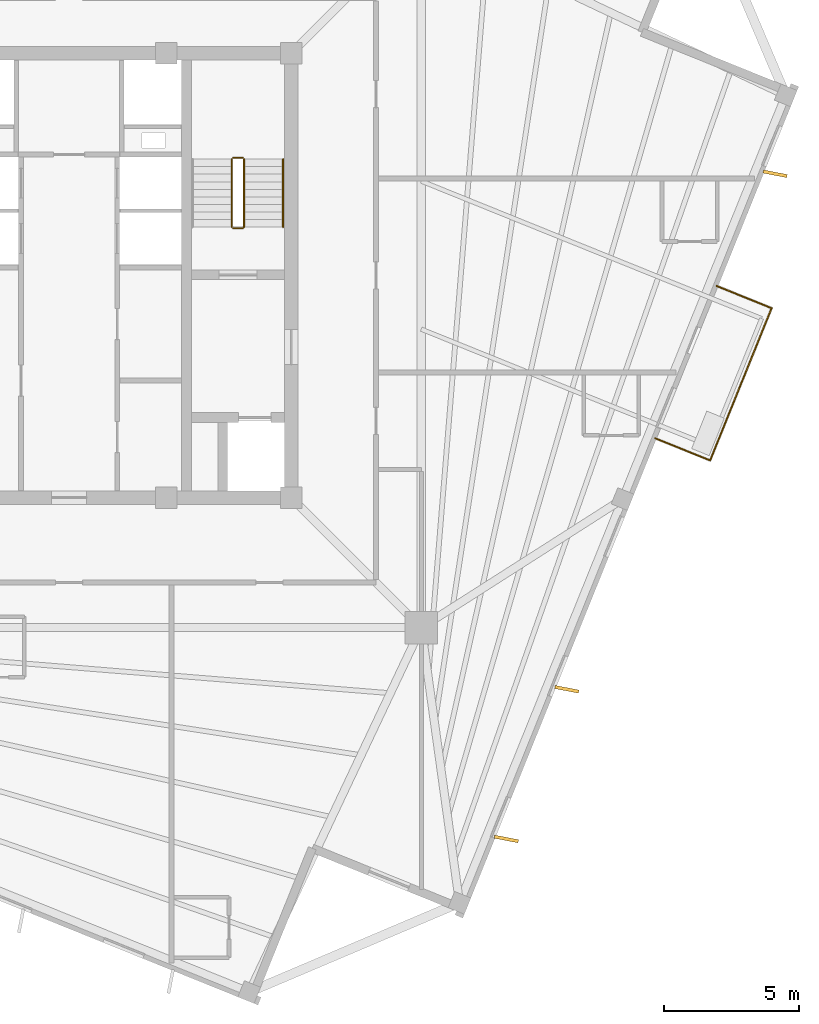
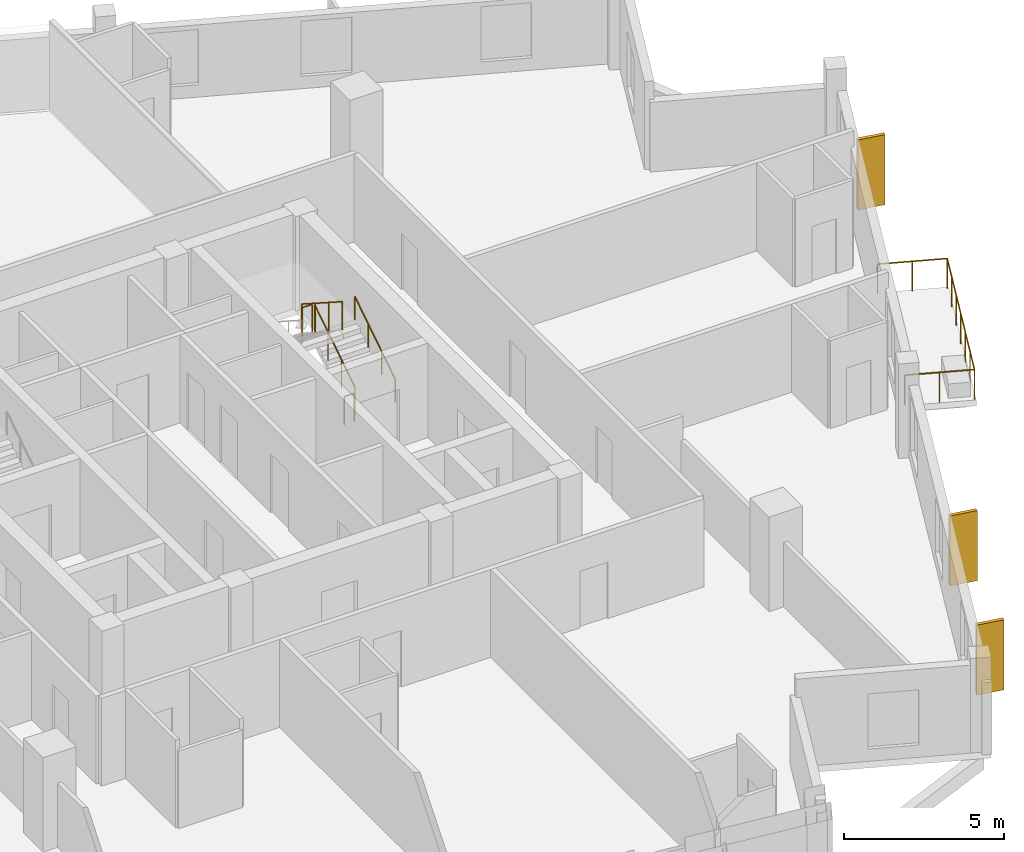
# One storey, part 7 of 8: 8 railings, 3 coverings.
"""IFC4 building model written with IfcOpenShell, lengths in metres."""

from ifc_helpers import new_model, si_unit, direction, frame, origin, origin_2d, place, context, subcontext, project, spatial, rectangle, circle, extrude, source, transform, mapped, material, layer, layer_set, type_object, element, save


model = new_model("IFC4")

# Units and contexts
model_context = context("Model", 3, precision=1e-05, world=origin(), true_north=direction((0.0, 1.0)))
body_context = subcontext(model_context, "Body", "Model", "MODEL_VIEW")
ifc_project = project(units=[si_unit("LENGTHUNIT", "METRE"), si_unit("AREAUNIT", "SQUARE_METRE"), si_unit("VOLUMEUNIT", "CUBIC_METRE"), si_unit("PLANEANGLEUNIT", "RADIAN"), si_unit("MASSUNIT", "GRAM", prefix="KILO"), si_unit("THERMODYNAMICTEMPERATUREUNIT", "KELVIN")], contexts=[model_context])

# Site, building, storey
site_placement = place(None, origin())
site = spatial("IfcSite", under=ifc_project, at=site_placement, CompositionType="ELEMENT")
building_placement = place(site_placement, origin())
building = spatial("IfcBuilding", under=site, at=building_placement, Name="Kosmvard Interchange Tower", CompositionType="ELEMENT")
storey_placement = place(building_placement, frame((0.0, 0.0, 268.800048828125)))
storey = spatial("IfcBuildingStorey", under=building, at=storey_placement, Name="L65", CompositionType="ELEMENT", Elevation=268.800048828125)

# Railings
ifc_material_1 = material(Name="Steel S355", Category="steel")
railing_type_1 = type_object("IfcRailingType", Name="Observation & Balcony Glass-Infill Balustrade 1150", PredefinedType="BALUSTRADE", material=ifc_material_1)
shared_shape_1 = source(origin(), body_context, "Body", "SweptSolid", [
    extrude(circle(Radius=0.02392578125, at=origin_2d()), frame((0.0, 0.0, 1.1259765625), z_axis=(-0.927208487558, 0.374545618852, 0.0), x_axis=(-0.374545618852, -0.927208487558, 0.0)), (0.0, 0.0, 1.0), 2.199951171875),
    extrude(circle(Radius=0.02099609375, at=origin_2d()), origin(), (0.0, 0.0, 1.0), 1.101806640625),
    extrude(circle(Radius=0.02099609375, at=origin_2d()), frame((-1.02001953125, 0.412109375, 0.0)), (0.0, 0.0, 1.0), 1.101806640625),
    extrude(circle(Radius=0.02099609375, at=origin_2d()), frame((-2.039794921875, 0.823974609375, 0.0)), (0.0, 0.0, 1.0), 1.101806640625),
])
railing_1_placement = place(storey_placement, frame((26.095458984375, -1.2138671875, 0.0)))
element("IfcRailing", 1, at=railing_1_placement, inside=storey, type_object=railing_type_1, Name="L65 Outdoor Terrace Guard BAL-L65-SW-C", PredefinedType="BALUSTRADE", context=body_context, shape_type="MappedRepresentation", body=[
    mapped(shared_shape_1, transform((0.0, 0.0, 0.0), scale=1.0)),
])
shared_shape_2 = source(origin(), body_context, "Body", "SweptSolid", [
    extrude(circle(Radius=0.02392578125, at=origin_2d()), frame((0.0, 0.0, 1.1259765625), z_axis=(0.927208487558, -0.374545618852, 0.0), x_axis=(0.374545618852, 0.927208487558, 0.0)), (0.0, 0.0, 1.0), 2.199951171875),
    extrude(circle(Radius=0.02099609375, at=origin_2d()), origin(), (0.0, 0.0, 1.0), 1.101806640625),
    extrude(circle(Radius=0.02099609375, at=origin_2d()), frame((1.02001953125, -0.412109375, 0.0)), (0.0, 0.0, 1.0), 1.101806640625),
    extrude(circle(Radius=0.02099609375, at=origin_2d()), frame((2.039794921875, -0.823974609375, 0.0)), (0.0, 0.0, 1.0), 1.101806640625),
])
railing_2_placement = place(storey_placement, frame((21.7705078125, -6.045654296875, 0.0)))
element("IfcRailing", 2, at=railing_2_placement, inside=storey, type_object=railing_type_1, Name="L65 Outdoor Terrace Guard BAL-L65-SW-A", PredefinedType="BALUSTRADE", context=body_context, shape_type="MappedRepresentation", body=[
    mapped(shared_shape_2, transform((0.0, 0.0, 0.0), scale=1.0)),
])

# Coverings
ifc_material_2 = material(Name="Architectural anodised aluminium", Category="aluminium")
ifc_layer = layer(ifc_material_2, 0.1201171875, Name="Architectural anodised aluminium")
ifc_layer_set = layer_set([ifc_layer], Name="Architectural anodised aluminium")
covering_type = type_object("IfcCoveringType", Name="Rotating Vertical Sun-Breaker Fin 900x120 Aluminium", PredefinedType="CLADDING", material=ifc_layer_set)
shared_shape_3 = source(origin(), body_context, "Body", "SweptSolid", [
    extrude(rectangle(XDim=0.89990234375, YDim=0.1201171875, at=origin_2d()), origin(), (0.0, 0.0, 1.0), 2.669921875),
])
for number, where, z_axis, x_axis, name in (
    (3, (16.2412109375, -20.932373046875, 0.0400390625), (0.0, 0.0, 1.0), (0.981760154029, -0.190123643878, 0.0), "L65 Rotating Vertical Sun-Breaker Fin 01"),
    (4, (18.4873046875, -15.373046875, 0.0400390625), (0.0, 0.0, 1.0), (0.981760154029, -0.190123643878, 0.0), "L65 Rotating Vertical Sun-Breaker Fin 02"),
    (5, (26.223876953125, 3.775390625, 0.0400390625), (0.0, 0.0, 1.0), (0.981760154029, -0.190123643878, 0.0), "L65 Rotating Vertical Sun-Breaker Fin 03"),
):
    element("IfcCovering", number, at=place(storey_placement, frame(where, z_axis=z_axis, x_axis=x_axis)), inside=storey, type_object=covering_type, Name=name, PredefinedType="CLADDING", context=body_context, shape_type="MappedRepresentation", body=[
        mapped(shared_shape_3, transform((0.0, 0.0, 0.0), scale=1.0)),
    ])

# Railings
shared_shape_4 = source(origin(), body_context, "Body", "SweptSolid", [
    extrude(circle(Radius=0.02392578125, at=origin_2d()), frame((0.0, 0.0, 1.1259765625), z_axis=(0.374617894384, 0.927179288599, 0.0), x_axis=(-0.927179288599, 0.374617894384, 0.0)), (0.0, 0.0, 1.0), 6.099853515625),
    extrude(circle(Radius=0.02099609375, at=origin_2d()), origin(), (0.0, 0.0, 1.0), 1.101806640625),
    extrude(circle(Radius=0.02099609375, at=origin_2d()), frame((0.380859375, 0.942626953125, 0.0)), (0.0, 0.0, 1.0), 1.101806640625),
    extrude(circle(Radius=0.02099609375, at=origin_2d()), frame((0.76171875, 1.88525390625, 0.0)), (0.0, 0.0, 1.0), 1.101806640625),
    extrude(circle(Radius=0.02099609375, at=origin_2d()), frame((1.142578125, 2.827880859375, 0.0)), (0.0, 0.0, 1.0), 1.101806640625),
    extrude(circle(Radius=0.02099609375, at=origin_2d()), frame((1.5234375, 3.7705078125, 0.0)), (0.0, 0.0, 1.0), 1.101806640625),
    extrude(circle(Radius=0.02099609375, at=origin_2d()), frame((1.904296875, 4.713134765625, 0.0)), (0.0, 0.0, 1.0), 1.101806640625),
    extrude(circle(Radius=0.02099609375, at=origin_2d()), frame((2.28515625, 5.65576171875, 0.0)), (0.0, 0.0, 1.0), 1.101806640625),
])
railing_3_placement = place(storey_placement, frame((23.810302734375, -6.86962890625, 0.0)))
element("IfcRailing", 6, at=railing_3_placement, inside=storey, type_object=railing_type_1, Name="L65 Outdoor Terrace Guard BAL-L65-SW-B", PredefinedType="BALUSTRADE", context=body_context, shape_type="MappedRepresentation", body=[
    mapped(shared_shape_4, transform((0.0, 0.0, 0.0), scale=1.0)),
])
railing_type_2 = type_object("IfcRailingType", Name="Stair & Terrace Safety Guardrail 1100 Steel", PredefinedType="GUARDRAIL", material=ifc_material_1)
shared_shape_5 = source(origin(), body_context, "Body", "SweptSolid", [
    extrude(circle(Radius=0.02392578125, at=origin_2d()), frame((0.0, 0.0, 1.076171875), z_axis=(-1.0, 0.0, 0.0), x_axis=(0.0, -1.0, 0.0)), (0.0, 0.0, 1.0), 0.35986328125),
    extrude(circle(Radius=0.02099609375, at=origin_2d()), origin(), (0.0, 0.0, 1.0), 1.052001953125),
    extrude(circle(Radius=0.02099609375, at=origin_2d()), frame((-0.35986328125, 0.0, 0.0)), (0.0, 0.0, 1.0), 1.052001953125),
])
for number, where, name in (
    (7, (6.449951171875, 4.3701171875, 1.800048828125), "L65 ST-2 stair guard 2"),
    (8, (6.449951171875, 1.75, 0.0), "L65 ST-2 stair guard 4"),
):
    element("IfcRailing", number, at=place(storey_placement, frame(where)), inside=storey, type_object=railing_type_2, Name=name, PredefinedType="GUARDRAIL", context=body_context, shape_type="MappedRepresentation", body=[
        mapped(shared_shape_5, transform((0.0, 0.0, 0.0), scale=1.0)),
    ])
shared_shape_6 = source(origin(), body_context, "Body", "SweptSolid", [
    extrude(circle(Radius=0.02392578125, at=origin_2d()), frame((0.0, 0.0, 1.076171875), z_axis=(0.0, 0.841162588446, 0.540782303519), x_axis=(-1.0, 0.0, 0.0)), (0.0, 0.0, 1.0), 2.995849609375),
    extrude(circle(Radius=0.02099609375, at=origin_2d()), origin(), (0.0, 0.0, 1.0), 1.052001953125),
    extrude(circle(Radius=0.02099609375, at=origin_2d()), frame((0.0, 0.840087890625, 0.5400390625)), (0.0, 0.0, 1.0), 1.052001953125),
    extrude(circle(Radius=0.02099609375, at=origin_2d()), frame((0.0, 1.679931640625, 1.080078125)), (0.0, 0.0, 1.0), 1.052001953125),
    extrude(circle(Radius=0.02099609375, at=origin_2d()), frame((0.0, 2.52001953125, 1.6201171875)), (0.0, 0.0, 1.0), 1.052001953125),
])
railing_4_placement = place(storey_placement, frame((6.5, 1.800048828125, 0.179931640625)))
element("IfcRailing", 9, at=railing_4_placement, inside=storey, type_object=railing_type_2, Name="L65 ST-2 stair guard 1", PredefinedType="GUARDRAIL", context=body_context, shape_type="MappedRepresentation", body=[
    mapped(shared_shape_6, transform((0.0, 0.0, 0.0), scale=1.0)),
])
railing_type_3 = type_object("IfcRailingType", Name="Wall-Mounted Stair Handrail 900 Steel", PredefinedType="HANDRAIL", material=ifc_material_1)
shared_shape_7 = source(origin(), body_context, "Body", "SweptSolid", [
    extrude(circle(Radius=0.02392578125, at=origin_2d()), frame((0.0, 0.0, 0.8759765625), z_axis=(0.0, 0.841162588446, 0.540782303519), x_axis=(-1.0, 0.0, 0.0)), (0.0, 0.0, 1.0), 2.995849609375),
    extrude(circle(Radius=0.02099609375, at=origin_2d()), origin(), (0.0, 0.0, 1.0), 0.851806640625),
    extrude(circle(Radius=0.02099609375, at=origin_2d()), frame((0.0, 0.840087890625, 0.5400390625)), (0.0, 0.0, 1.0), 0.851806640625),
    extrude(circle(Radius=0.02099609375, at=origin_2d()), frame((0.0, 1.679931640625, 1.080078125)), (0.0, 0.0, 1.0), 0.851806640625),
    extrude(circle(Radius=0.02099609375, at=origin_2d()), frame((0.0, 2.52001953125, 1.6201171875)), (0.0, 0.0, 1.0), 0.851806640625),
])
railing_5_placement = place(storey_placement, frame((7.949951171875, 1.800048828125, 0.179931640625)))
element("IfcRailing", 10, at=railing_5_placement, inside=storey, type_object=railing_type_3, Name="L65 ST-2 stair handrail 1", PredefinedType="HANDRAIL", context=body_context, shape_type="MappedRepresentation", body=[
    mapped(shared_shape_7, transform((0.0, 0.0, 0.0), scale=1.0)),
])
shared_shape_8 = source(origin(), body_context, "Body", "SweptSolid", [
    extrude(circle(Radius=0.02392578125, at=origin_2d()), frame((0.0, 0.0, 1.076171875), z_axis=(0.0, -0.841199657755, 0.540724639528), x_axis=(1.0, 0.0, 0.0)), (0.0, 0.0, 1.0), 2.995849609375),
    extrude(circle(Radius=0.02099609375, at=origin_2d()), origin(), (0.0, 0.0, 1.0), 1.052001953125),
    extrude(circle(Radius=0.02099609375, at=origin_2d()), frame((0.0, -0.840087890625, 0.5400390625)), (0.0, 0.0, 1.0), 1.052001953125),
    extrude(circle(Radius=0.02099609375, at=origin_2d()), frame((0.0, -1.679931640625, 1.079833984375)), (0.0, 0.0, 1.0), 1.052001953125),
    extrude(circle(Radius=0.02099609375, at=origin_2d()), frame((0.0, -2.52001953125, 1.619873046875)), (0.0, 0.0, 1.0), 1.052001953125),
])
railing_6_placement = place(storey_placement, frame((6.0400390625, 4.320068359375, 1.97998046875)))
element("IfcRailing", 11, at=railing_6_placement, inside=storey, type_object=railing_type_2, Name="L65 ST-2 stair guard 3", PredefinedType="GUARDRAIL", context=body_context, shape_type="MappedRepresentation", body=[
    mapped(shared_shape_8, transform((0.0, 0.0, 0.0), scale=1.0)),
])

save(model, "model.ifc")
